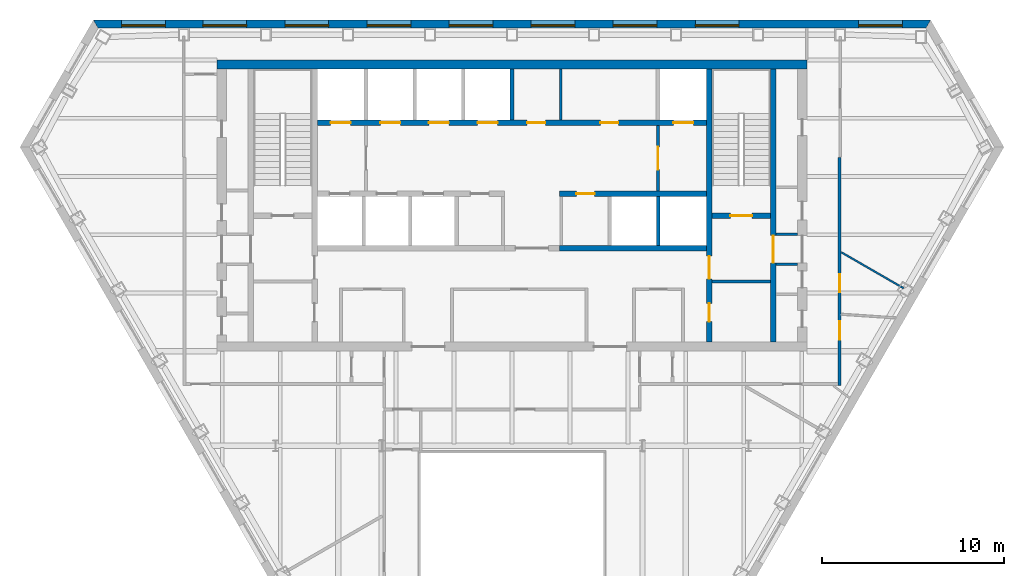
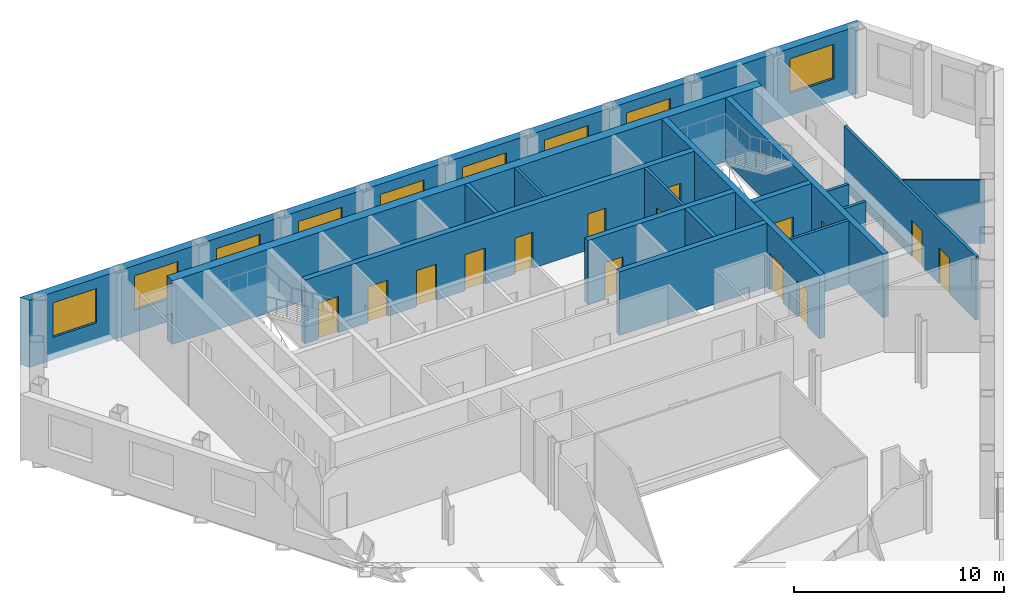
# One storey, part 7 of 11: 17 walls, 15 doors, 9 windows, 24 openings.
"""IFC4 building model written with IfcOpenShell, lengths in metres."""

from ifc_helpers import new_model, si_unit, direction, frame, frame_2d, origin, place, context, subcontext, project, spatial, polyline, rectangle, outline, extrude, material, layer, layer_set, type_object, element, fill, save


model = new_model("IFC4")

# Units and contexts
model_context = context("Model", 3, precision=1e-05, world=origin(), true_north=direction((0.0, 1.0)))
body_context = subcontext(model_context, "Body", "Model", "MODEL_VIEW")
ifc_project = project(units=[si_unit("LENGTHUNIT", "METRE"), si_unit("AREAUNIT", "SQUARE_METRE"), si_unit("VOLUMEUNIT", "CUBIC_METRE"), si_unit("PLANEANGLEUNIT", "RADIAN"), si_unit("MASSUNIT", "GRAM", prefix="KILO")], contexts=[model_context])

# Site, building, storey
site_placement = place(None, origin())
site = spatial("IfcSite", under=ifc_project, at=site_placement, CompositionType="ELEMENT")
building_placement = place(site_placement, origin())
building = spatial("IfcBuilding", under=site, at=building_placement, Name="Njiva Tower", CompositionType="ELEMENT")
storey_placement = place(building_placement, frame((0.0, 0.0, 174.9)))
storey = spatial("IfcBuildingStorey", under=building, at=storey_placement, Name="L38", CompositionType="ELEMENT", Elevation=174.9)

# Walls
ifc_material_1 = material(Name="Blockwork", Category="masonry")
ifc_layer_1 = layer(ifc_material_1, 0.15)
ifc_layer_set_1 = layer_set([ifc_layer_1], Name="Blockwork")
wall_type_1 = type_object("IfcWallType", Name="WT1 Compartment partition 150", PredefinedType="PARTITIONING", material=ifc_layer_set_1)
wall_1_placement = place(storey_placement, frame((2.675, 14.7, 0.0), z_axis=(0.0, 0.0, 1.0), x_axis=(0.0, 1.0, 0.0)))
element("IfcWall", 1, at=wall_1_placement, inside=storey, type_object=wall_type_1, Name="Partition CN5", PredefinedType="PARTITIONING", context=body_context, shape_type="SweptSolid", body=[
    extrude(rectangle(XDim=2.8, YDim=0.15, at=frame_2d((1.4, 0.0))), origin(), (0.0, 0.0, 1.0), 3.7),
])
wall_2_placement = place(storey_placement, frame((11.0, 5.825, 0.0), z_axis=(0.0, 0.0, 1.0), x_axis=(1.0, 0.0, 0.0)))
element("IfcWall", 2, at=wall_2_placement, inside=storey, type_object=wall_type_1, Name="Room wall B", PredefinedType="PARTITIONING", context=body_context, shape_type="SweptSolid", body=[
    extrude(rectangle(XDim=3.2, YDim=0.15, at=frame_2d((1.6, 0.0))), origin(), (0.0, 0.0, 1.0), 3.7),
])

# Wall, openings, doors
ifc_material_2 = material(Name="Concrete C40/50", Category="concrete")
ifc_layer_2 = layer(ifc_material_2, 0.3)
ifc_layer_set_2 = layer_set([ifc_layer_2], Name="Concrete C40/50")
wall_type_2 = type_object("IfcWallType", Name="WT10 Stair enclosure wall 300", PredefinedType="SHEAR", material=ifc_layer_set_2)
wall_3_placement = place(storey_placement, frame((10.85, 2.5, 0.0), z_axis=(0.0, 0.0, 1.0), x_axis=(0.0, 1.0, 0.0)))
wall_3 = element("IfcWall", 3, at=wall_3_placement, inside=storey, type_object=wall_type_2, Name="Stair wall east inner", PredefinedType="SHEAR", context=body_context, shape_type="SweptSolid", body=[
    extrude(rectangle(XDim=15.0, YDim=0.3, at=frame_2d((7.5, 0.0))), origin(), (0.0, 0.0, 1.0), 3.7),
])
opening_1_placement = place(wall_3_placement, frame((3.475, 0.0, 0.0)))
opening_1 = element("IfcOpeningElement", 4, at=opening_1_placement, cuts=wall_3, Name="Opening S13-D919", PredefinedType="OPENING", context=body_context, shape_type="SweptSolid", body=[
    extrude(rectangle(XDim=1.25, YDim=2.1, at=frame_2d((0.625, 1.05))), frame((0.0, 0.16, 0.0), z_axis=(0.0, -1.0, 0.0), x_axis=(1.0, 0.0, 0.0)), (0.0, 0.0, 1.0), 0.32),
])
opening_2_placement = place(wall_3_placement, frame((1.125, 0.0, 0.0)))
opening_2 = element("IfcOpeningElement", 5, at=opening_2_placement, cuts=wall_3, Name="Opening S13-D920", PredefinedType="OPENING", context=body_context, shape_type="SweptSolid", body=[
    extrude(rectangle(XDim=1.0, YDim=2.1, at=frame_2d((0.5, 1.05))), frame((0.0, 0.16, 0.0), z_axis=(0.0, -1.0, 0.0), x_axis=(1.0, 0.0, 0.0)), (0.0, 0.0, 1.0), 0.32),
])
ifc_material_3 = material(Name="Steel door, painted", Category="steel")
door_type_1 = type_object("IfcDoorType", Name="D5 Steel door 1000x2100", OperationType="SINGLE_SWING_LEFT", PredefinedType="DOOR", material=ifc_material_3)
door_1_placement = place(opening_2_placement, origin())
door_1 = element("IfcDoor", 6, at=door_1_placement, inside=storey, type_object=door_type_1, Name="Business centre door", OperationType="SINGLE_SWING_LEFT", OverallHeight=2.1, OverallWidth=1.0, PredefinedType="DOOR", context=body_context, shape_type="SweptSolid", body=[
    extrude(rectangle(XDim=1.0, YDim=2.1, at=frame_2d((0.5, 1.05))), frame((0.0, 0.025, 0.0), z_axis=(0.0, -1.0, 0.0), x_axis=(1.0, 0.0, 0.0)), (0.0, 0.0, 1.0), 0.05),
])
fill(opening_2, door_1)
ifc_material_4 = material(Name="Glazed steel fire door", Category="steel")
door_type_2 = type_object("IfcDoorType", Name="D8 Vestibule corridor door 1250x2100 glazed", OperationType="SINGLE_SWING_LEFT", PredefinedType="DOOR", material=ifc_material_4)
door_2_placement = place(opening_1_placement, origin())
door_2 = element("IfcDoor", 7, at=door_2_placement, inside=storey, type_object=door_type_2, Name="Stair vestibule corridor door", OperationType="SINGLE_SWING_RIGHT", OverallHeight=2.1, OverallWidth=1.25, PredefinedType="DOOR", context=body_context, shape_type="SweptSolid", body=[
    extrude(rectangle(XDim=1.25, YDim=2.1, at=frame_2d((0.625, 1.05))), frame((0.0, 0.025, 0.0), z_axis=(0.0, -1.0, 0.0), x_axis=(1.0, 0.0, 0.0)), (0.0, 0.0, 1.0), 0.05),
])
fill(opening_1, door_2)

# Wall, opening, door
wall_4_placement = place(storey_placement, frame((14.35, 2.5, 0.0), z_axis=(0.0, 0.0, 1.0), x_axis=(0.0, 1.0, 0.0)))
wall_4 = element("IfcWall", 8, at=wall_4_placement, inside=storey, type_object=wall_type_2, Name="Stair wall east outer", PredefinedType="SHEAR", context=body_context, shape_type="SweptSolid", body=[
    extrude(rectangle(XDim=15.0, YDim=0.3, at=frame_2d((7.5, 0.0))), origin(), (0.0, 0.0, 1.0), 3.7),
])
opening_3_placement = place(wall_4_placement, frame((4.35, 0.0, 0.0)))
opening_3 = element("IfcOpeningElement", 9, at=opening_3_placement, cuts=wall_4, Name="Opening S13-D927", PredefinedType="OPENING", context=body_context, shape_type="SweptSolid", body=[
    extrude(rectangle(XDim=1.5, YDim=2.1, at=frame_2d((0.75, 1.05))), frame((0.0, 0.16, 0.0), z_axis=(0.0, -1.0, 0.0), x_axis=(1.0, 0.0, 0.0)), (0.0, 0.0, 1.0), 0.32),
])
door_type_3 = type_object("IfcDoorType", Name="D10 Exit door double 1500x2100 glazed", OperationType="DOUBLE_DOOR_SINGLE_SWING", PredefinedType="DOOR", material=ifc_material_4)
door_3_placement = place(opening_3_placement, origin())
door_3 = element("IfcDoor", 10, at=door_3_placement, inside=storey, type_object=door_type_3, Name="Stair B passage door", OperationType="DOUBLE_DOOR_SINGLE_SWING", OverallHeight=2.1, OverallWidth=1.5, PredefinedType="DOOR", context=body_context, shape_type="SweptSolid", body=[
    extrude(rectangle(XDim=1.5, YDim=2.1, at=frame_2d((0.75, 1.05))), frame((0.0, 0.025, 0.0), z_axis=(0.0, -1.0, 0.0), x_axis=(1.0, 0.0, 0.0)), (0.0, 0.0, 1.0), 0.05),
])
fill(opening_3, door_3)

wall_5_placement = place(storey_placement, frame((11.0, 9.45, 0.0), z_axis=(0.0, 0.0, 1.0), x_axis=(1.0, 0.0, 0.0)))
wall_5 = element("IfcWall", 11, at=wall_5_placement, inside=storey, type_object=wall_type_2, Name="Stair B south wall", PredefinedType="SHEAR", context=body_context, shape_type="SweptSolid", body=[
    extrude(rectangle(XDim=3.2, YDim=0.3, at=frame_2d((1.6, 0.0))), origin(), (0.0, 0.0, 1.0), 3.7),
])
opening_4_placement = place(wall_5_placement, frame((1.0, 0.0, 0.0)))
opening_4 = element("IfcOpeningElement", 12, at=opening_4_placement, cuts=wall_5, Name="Opening S13-D918", PredefinedType="OPENING", context=body_context, shape_type="SweptSolid", body=[
    extrude(rectangle(XDim=1.2, YDim=2.1, at=frame_2d((0.6, 1.05))), frame((0.0, 0.16, 0.0), z_axis=(0.0, -1.0, 0.0), x_axis=(1.0, 0.0, 0.0)), (0.0, 0.0, 1.0), 0.32),
])
door_type_4 = type_object("IfcDoorType", Name="D7 Stair vestibule door 1200x2100 glazed", OperationType="SINGLE_SWING_LEFT", PredefinedType="DOOR", material=ifc_material_4)
door_4_placement = place(opening_4_placement, origin())
door_4 = element("IfcDoor", 13, at=door_4_placement, inside=storey, type_object=door_type_4, Name="Stair B door", OperationType="SINGLE_SWING_LEFT", OverallHeight=2.1, OverallWidth=1.2, PredefinedType="DOOR", context=body_context, shape_type="SweptSolid", body=[
    extrude(rectangle(XDim=1.2, YDim=2.1, at=frame_2d((0.6, 1.05))), frame((0.0, 0.025, 0.0), z_axis=(0.0, -1.0, 0.0), x_axis=(1.0, 0.0, 0.0)), (0.0, 0.0, 1.0), 0.05),
])
fill(opening_4, door_4)

# Wall
ifc_material_5 = material(Name="Concrete C60/75", Category="concrete")
ifc_layer_3 = layer(ifc_material_5, 0.5)
ifc_layer_set_3 = layer_set([ifc_layer_3], Name="Concrete C60/75")
wall_type_3 = type_object("IfcWallType", Name="WT13 Core wall 500", PredefinedType="SHEAR", material=ifc_layer_set_3)
wall_6_placement = place(storey_placement, frame((-16.2, 17.75, 0.0), z_axis=(0.0, 0.0, 1.0), x_axis=(1.0, 0.0, 0.0)))
element("IfcWall", 14, at=wall_6_placement, inside=storey, type_object=wall_type_3, Name="Core wall north", PredefinedType="SHEAR", context=body_context, shape_type="SweptSolid", body=[
    extrude(rectangle(XDim=32.4, YDim=0.5, at=frame_2d((16.2, 0.0))), origin(), (0.0, 0.0, 1.0), 3.7),
])

# Wall, opening, door
ifc_layer_4 = layer(ifc_material_1, 0.15)
ifc_layer_set_4 = layer_set([ifc_layer_4], Name="Blockwork")
wall_type_4 = type_object("IfcWallType", Name="WT2 Lobby partition 150", PredefinedType="PARTITIONING", material=ifc_layer_set_4)
wall_7_placement = place(storey_placement, frame((8.025, 10.8, 0.0), z_axis=(0.0, 0.0, 1.0), x_axis=(0.0, 1.0, 0.0)))
wall_7 = element("IfcWall", 15, at=wall_7_placement, inside=storey, type_object=wall_type_4, Name="Firefighting lobby wall B", PredefinedType="PARTITIONING", context=body_context, shape_type="SweptSolid", body=[
    extrude(rectangle(XDim=3.6, YDim=0.15, at=frame_2d((1.8, 0.0))), origin(), (0.0, 0.0, 1.0), 3.7),
])
opening_5_placement = place(wall_7_placement, frame((1.175, 0.0, 0.0)))
opening_5 = element("IfcOpeningElement", 16, at=opening_5_placement, cuts=wall_7, Name="Opening S13-D917", PredefinedType="OPENING", context=body_context, shape_type="SweptSolid", body=[
    extrude(rectangle(XDim=1.25, YDim=2.1, at=frame_2d((0.625, 1.05))), frame((0.0, 0.085, 0.0), z_axis=(0.0, -1.0, 0.0), x_axis=(1.0, 0.0, 0.0)), (0.0, 0.0, 1.0), 0.17),
])
door_5_placement = place(opening_5_placement, origin())
door_5 = element("IfcDoor", 17, at=door_5_placement, inside=storey, type_object=door_type_2, Name="Stair vestibule corridor door", OperationType="SINGLE_SWING_LEFT", OverallHeight=2.1, OverallWidth=1.25, PredefinedType="DOOR", context=body_context, shape_type="SweptSolid", body=[
    extrude(rectangle(XDim=1.25, YDim=2.1, at=frame_2d((0.625, 1.05))), frame((0.0, 0.025, 0.0), z_axis=(0.0, -1.0, 0.0), x_axis=(1.0, 0.0, 0.0)), (0.0, 0.0, 1.0), 0.05),
])
fill(opening_5, door_5)

# Wall
ifc_material_6 = material(Name="Gypsum board on steel studs", Category="gypsum")
ifc_layer_5 = layer(ifc_material_6, 0.1)
ifc_layer_set_5 = layer_set([ifc_layer_5], Name="Gypsum board on steel studs")
wall_type_5 = type_object("IfcWallType", Name="WT20 Gypsum partition 100", PredefinedType="PARTITIONING", material=ifc_layer_set_5)
wall_8_placement = place(storey_placement, frame((18.1, 7.434, 0.0), z_axis=(0.0, 0.0, 1.0), x_axis=(0.866113839764, -0.499846793097, 0.0)))
element("IfcWall", 18, at=wall_8_placement, inside=storey, type_object=wall_type_5, Name="Partition S13-P030", PredefinedType="PARTITIONING", context=body_context, shape_type="SweptSolid", body=[
    extrude(rectangle(XDim=3.9452, YDim=0.1, at=frame_2d((1.9726, 0.0))), origin(), (0.0, 0.0, 1.0), 3.7),
])

# Wall, openings, doors
ifc_layer_6 = layer(ifc_material_6, 0.15)
ifc_layer_set_6 = layer_set([ifc_layer_6], Name="Gypsum board on steel studs")
wall_type_6 = type_object("IfcWallType", Name="WT21 Compartment wall 150", PredefinedType="PARTITIONING", material=ifc_layer_set_6)
wall_9_placement = place(storey_placement, frame((18.0, 0.125, 0.0), z_axis=(0.0, 0.0, 1.0), x_axis=(0.0, 1.0, 0.0)))
wall_9 = element("IfcWall", 19, at=wall_9_placement, inside=storey, type_object=wall_type_6, Name="Partition S13-P027", PredefinedType="PARTITIONING", context=body_context, shape_type="SweptSolid", body=[
    extrude(rectangle(XDim=12.531, YDim=0.15, at=frame_2d((6.2655, 0.0))), origin(), (0.0, 0.0, 1.0), 3.7),
])
opening_6_placement = place(wall_9_placement, frame((2.51, 0.0, 0.0)))
opening_6 = element("IfcOpeningElement", 20, at=opening_6_placement, cuts=wall_9, Name="Opening S13-D013", PredefinedType="OPENING", context=body_context, shape_type="SweptSolid", body=[
    extrude(rectangle(XDim=1.0, YDim=2.1, at=frame_2d((0.5, 1.05))), frame((0.0, 0.085, 0.0), z_axis=(0.0, -1.0, 0.0), x_axis=(1.0, 0.0, 0.0)), (0.0, 0.0, 1.0), 0.17),
])
opening_7_placement = place(wall_9_placement, frame((5.114, 0.0, 0.0)))
opening_7 = element("IfcOpeningElement", 21, at=opening_7_placement, cuts=wall_9, Name="Opening S13-D014", PredefinedType="OPENING", context=body_context, shape_type="SweptSolid", body=[
    extrude(rectangle(XDim=1.0, YDim=2.1, at=frame_2d((0.5, 1.05))), frame((0.0, 0.085, 0.0), z_axis=(0.0, -1.0, 0.0), x_axis=(1.0, 0.0, 0.0)), (0.0, 0.0, 1.0), 0.17),
])
ifc_material_7 = material(Name="Steel fire door set", Category="steel")
door_type_5 = type_object("IfcDoorType", Name="D37 Fire door 1000x2100", OperationType="SINGLE_SWING_LEFT", PredefinedType="DOOR", material=ifc_material_7)
door_6_placement = place(opening_6_placement, origin())
door_6 = element("IfcDoor", 22, at=door_6_placement, inside=storey, type_object=door_type_5, Name="Door S13-D013", OperationType="SINGLE_SWING_LEFT", OverallHeight=2.1, OverallWidth=1.0, PredefinedType="DOOR", context=body_context, shape_type="SweptSolid", body=[
    extrude(rectangle(XDim=1.0, YDim=2.1, at=frame_2d((0.5, 1.05))), frame((0.0, 0.025, 0.0), z_axis=(0.0, -1.0, 0.0), x_axis=(1.0, 0.0, 0.0)), (0.0, 0.0, 1.0), 0.05),
])
fill(opening_6, door_6)
door_7_placement = place(opening_7_placement, origin())
door_7 = element("IfcDoor", 23, at=door_7_placement, inside=storey, type_object=door_type_5, Name="Door S13-D014", OperationType="SINGLE_SWING_LEFT", OverallHeight=2.1, OverallWidth=1.0, PredefinedType="DOOR", context=body_context, shape_type="SweptSolid", body=[
    extrude(rectangle(XDim=1.0, YDim=2.1, at=frame_2d((0.5, 1.05))), frame((0.0, 0.025, 0.0), z_axis=(0.0, -1.0, 0.0), x_axis=(1.0, 0.0, 0.0)), (0.0, 0.0, 1.0), 0.05),
])
fill(opening_7, door_7)

# Walls
ifc_layer_7 = layer(ifc_material_1, 0.15)
ifc_layer_set_7 = layer_set([ifc_layer_7], Name="Blockwork")
wall_type_7 = type_object("IfcWallType", Name="WT4 Stair partition 150", PredefinedType="PARTITIONING", material=ifc_layer_set_7)
for number, where, z_axis, x_axis, name in (
    (24, (14.5, 6.775, 0.0), (0.0, 0.0, 1.0), (1.0, 0.0, 0.0), "Stair B exit passage wall south"),
    (25, (14.5, 8.425, 0.0), (0.0, 0.0, 1.0), (1.0, 0.0, 0.0), "Stair B exit passage wall north"),
):
    element("IfcWall", number, at=place(storey_placement, frame(where, z_axis=z_axis, x_axis=x_axis)), inside=storey, type_object=wall_type_7, Name=name, PredefinedType="PARTITIONING", context=body_context, shape_type="SweptSolid", body=[
        extrude(rectangle(XDim=1.2, YDim=0.15, at=frame_2d((0.6, 0.0))), origin(), (0.0, 0.0, 1.0), 3.7),
    ])
ifc_layer_8 = layer(ifc_material_2, 0.2)
ifc_layer_set_8 = layer_set([ifc_layer_8], Name="Concrete C40/50")
wall_type_8 = type_object("IfcWallType", Name="WT6 Lift shaft wall 200", PredefinedType="SHEAR", material=ifc_layer_set_8)
wall_10_placement = place(storey_placement, frame((0.0, 14.7, 0.0), z_axis=(0.0, 0.0, 1.0), x_axis=(0.0, 1.0, 0.0)))
element("IfcWall", 26, at=wall_10_placement, inside=storey, type_object=wall_type_8, Name="Shaft wall CN4", PredefinedType="SHEAR", context=body_context, shape_type="SweptSolid", body=[
    extrude(rectangle(XDim=2.8, YDim=0.2, at=frame_2d((1.4, 0.0))), origin(), (0.0, 0.0, 1.0), 3.7),
])
wall_11_placement = place(storey_placement, frame((8.0333, 7.8, 0.0), z_axis=(0.0, 0.0, 1.0), x_axis=(0.0, 1.0, 0.0)))
element("IfcWall", 27, at=wall_11_placement, inside=storey, type_object=wall_type_8, Name="Shaft wall CS7", PredefinedType="SHEAR", context=body_context, shape_type="SweptSolid", body=[
    extrude(rectangle(XDim=2.7, YDim=0.2, at=frame_2d((1.35, 0.0))), origin(), (0.0, 0.0, 1.0), 3.7),
])

# Wall, openings, doors
ifc_layer_9 = layer(ifc_material_2, 0.3)
ifc_layer_set_9 = layer_set([ifc_layer_9], Name="Concrete C40/50")
wall_type_9 = type_object("IfcWallType", Name="WT7 Lift shaft wall 300", PredefinedType="SHEAR", material=ifc_layer_set_9)
wall_12_placement = place(storey_placement, frame((-10.7, 14.55, 0.0), z_axis=(0.0, 0.0, 1.0), x_axis=(1.0, 0.0, 0.0)))
wall_12 = element("IfcWall", 28, at=wall_12_placement, inside=storey, type_object=wall_type_9, Name="Shaft wall north row lobby side", PredefinedType="SHEAR", context=body_context, shape_type="SweptSolid", body=[
    extrude(rectangle(XDim=21.4, YDim=0.3, at=frame_2d((10.7, 0.0))), origin(), (0.0, 0.0, 1.0), 3.7),
])
opening_8_placement = place(wall_12_placement, frame((0.7375, 0.0, 0.0)))
opening_8 = element("IfcOpeningElement", 29, at=opening_8_placement, cuts=wall_12, Name="Opening S13-D901", PredefinedType="OPENING", context=body_context, shape_type="SweptSolid", body=[
    extrude(rectangle(XDim=1.1, YDim=2.1, at=frame_2d((0.55, 1.05))), frame((0.0, 0.16, 0.0), z_axis=(0.0, -1.0, 0.0), x_axis=(1.0, 0.0, 0.0)), (0.0, 0.0, 1.0), 0.32),
])
opening_9_placement = place(wall_12_placement, frame((3.4625, 0.0, 0.0)))
opening_9 = element("IfcOpeningElement", 30, at=opening_9_placement, cuts=wall_12, Name="Opening S13-D902", PredefinedType="OPENING", context=body_context, shape_type="SweptSolid", body=[
    extrude(rectangle(XDim=1.1, YDim=2.1, at=frame_2d((0.55, 1.05))), frame((0.0, 0.16, 0.0), z_axis=(0.0, -1.0, 0.0), x_axis=(1.0, 0.0, 0.0)), (0.0, 0.0, 1.0), 0.32),
])
opening_10_placement = place(wall_12_placement, frame((6.1375, 0.0, 0.0)))
opening_10 = element("IfcOpeningElement", 31, at=opening_10_placement, cuts=wall_12, Name="Opening S13-D903", PredefinedType="OPENING", context=body_context, shape_type="SweptSolid", body=[
    extrude(rectangle(XDim=1.1, YDim=2.1, at=frame_2d((0.55, 1.05))), frame((0.0, 0.16, 0.0), z_axis=(0.0, -1.0, 0.0), x_axis=(1.0, 0.0, 0.0)), (0.0, 0.0, 1.0), 0.32),
])
opening_11_placement = place(wall_12_placement, frame((8.8125, 0.0, 0.0)))
opening_11 = element("IfcOpeningElement", 32, at=opening_11_placement, cuts=wall_12, Name="Opening S13-D904", PredefinedType="OPENING", context=body_context, shape_type="SweptSolid", body=[
    extrude(rectangle(XDim=1.1, YDim=2.1, at=frame_2d((0.55, 1.05))), frame((0.0, 0.16, 0.0), z_axis=(0.0, -1.0, 0.0), x_axis=(1.0, 0.0, 0.0)), (0.0, 0.0, 1.0), 0.32),
])
opening_12_placement = place(wall_12_placement, frame((19.5625, 0.0, 0.0)))
opening_12 = element("IfcOpeningElement", 33, at=opening_12_placement, cuts=wall_12, Name="Opening S13-D905", PredefinedType="OPENING", context=body_context, shape_type="SweptSolid", body=[
    extrude(rectangle(XDim=1.1, YDim=2.1, at=frame_2d((0.55, 1.05))), frame((0.0, 0.16, 0.0), z_axis=(0.0, -1.0, 0.0), x_axis=(1.0, 0.0, 0.0)), (0.0, 0.0, 1.0), 0.32),
])
opening_13_placement = place(wall_12_placement, frame((11.5375, 0.0, 0.0)))
opening_13 = element("IfcOpeningElement", 34, at=opening_13_placement, cuts=wall_12, Name="Opening S13-D909", PredefinedType="OPENING", context=body_context, shape_type="SweptSolid", body=[
    extrude(rectangle(XDim=1.0, YDim=2.1, at=frame_2d((0.5, 1.05))), frame((0.0, 0.16, 0.0), z_axis=(0.0, -1.0, 0.0), x_axis=(1.0, 0.0, 0.0)), (0.0, 0.0, 1.0), 0.32),
])
opening_14_placement = place(wall_12_placement, frame((15.55, 0.0, 0.0)))
opening_14 = element("IfcOpeningElement", 35, at=opening_14_placement, cuts=wall_12, Name="Opening S13-D910", PredefinedType="OPENING", context=body_context, shape_type="SweptSolid", body=[
    extrude(rectangle(XDim=1.0, YDim=2.1, at=frame_2d((0.5, 1.05))), frame((0.0, 0.16, 0.0), z_axis=(0.0, -1.0, 0.0), x_axis=(1.0, 0.0, 0.0)), (0.0, 0.0, 1.0), 0.32),
])
door_8_placement = place(opening_13_placement, origin())
door_8 = element("IfcDoor", 36, at=door_8_placement, inside=storey, type_object=door_type_1, Name="Quiet room door", OperationType="SINGLE_SWING_LEFT", OverallHeight=2.1, OverallWidth=1.0, PredefinedType="DOOR", context=body_context, shape_type="SweptSolid", body=[
    extrude(rectangle(XDim=1.0, YDim=2.1, at=frame_2d((0.5, 1.05))), frame((0.0, 0.025, 0.0), z_axis=(0.0, -1.0, 0.0), x_axis=(1.0, 0.0, 0.0)), (0.0, 0.0, 1.0), 0.05),
])
fill(opening_13, door_8)
door_9_placement = place(opening_14_placement, origin())
door_9 = element("IfcDoor", 37, at=door_9_placement, inside=storey, type_object=door_type_1, Name="Prayer room door", OperationType="SINGLE_SWING_LEFT", OverallHeight=2.1, OverallWidth=1.0, PredefinedType="DOOR", context=body_context, shape_type="SweptSolid", body=[
    extrude(rectangle(XDim=1.0, YDim=2.1, at=frame_2d((0.5, 1.05))), frame((0.0, 0.025, 0.0), z_axis=(0.0, -1.0, 0.0), x_axis=(1.0, 0.0, 0.0)), (0.0, 0.0, 1.0), 0.05),
])
fill(opening_14, door_9)
ifc_material_8 = material(Name="Stainless steel sliding door", Category="steel")
door_type_6 = type_object("IfcDoorType", Name="LD Lift landing door 1100x2100", OperationType="SLIDING_TO_LEFT", PredefinedType="DOOR", material=ifc_material_8)
door_10_placement = place(opening_8_placement, origin())
door_10 = element("IfcDoor", 38, at=door_10_placement, inside=storey, type_object=door_type_6, Name="Lift landing door FF1", OperationType="SLIDING_TO_LEFT", OverallHeight=2.1, OverallWidth=1.1, PredefinedType="DOOR", context=body_context, shape_type="SweptSolid", body=[
    extrude(rectangle(XDim=1.1, YDim=2.1, at=frame_2d((0.55, 1.05))), frame((0.0, 0.025, 0.0), z_axis=(0.0, -1.0, 0.0), x_axis=(1.0, 0.0, 0.0)), (0.0, 0.0, 1.0), 0.05),
])
fill(opening_8, door_10)
door_11_placement = place(opening_9_placement, origin())
door_11 = element("IfcDoor", 39, at=door_11_placement, inside=storey, type_object=door_type_6, Name="Lift landing door MB4", OperationType="SLIDING_TO_LEFT", OverallHeight=2.1, OverallWidth=1.1, PredefinedType="DOOR", context=body_context, shape_type="SweptSolid", body=[
    extrude(rectangle(XDim=1.1, YDim=2.1, at=frame_2d((0.55, 1.05))), frame((0.0, 0.025, 0.0), z_axis=(0.0, -1.0, 0.0), x_axis=(1.0, 0.0, 0.0)), (0.0, 0.0, 1.0), 0.05),
])
fill(opening_9, door_11)
door_12_placement = place(opening_10_placement, origin())
door_12 = element("IfcDoor", 40, at=door_12_placement, inside=storey, type_object=door_type_6, Name="Lift landing door MB5", OperationType="SLIDING_TO_LEFT", OverallHeight=2.1, OverallWidth=1.1, PredefinedType="DOOR", context=body_context, shape_type="SweptSolid", body=[
    extrude(rectangle(XDim=1.1, YDim=2.1, at=frame_2d((0.55, 1.05))), frame((0.0, 0.025, 0.0), z_axis=(0.0, -1.0, 0.0), x_axis=(1.0, 0.0, 0.0)), (0.0, 0.0, 1.0), 0.05),
])
fill(opening_10, door_12)
door_13_placement = place(opening_11_placement, origin())
door_13 = element("IfcDoor", 41, at=door_13_placement, inside=storey, type_object=door_type_6, Name="Lift landing door MB6", OperationType="SLIDING_TO_LEFT", OverallHeight=2.1, OverallWidth=1.1, PredefinedType="DOOR", context=body_context, shape_type="SweptSolid", body=[
    extrude(rectangle(XDim=1.1, YDim=2.1, at=frame_2d((0.55, 1.05))), frame((0.0, 0.025, 0.0), z_axis=(0.0, -1.0, 0.0), x_axis=(1.0, 0.0, 0.0)), (0.0, 0.0, 1.0), 0.05),
])
fill(opening_11, door_13)
door_14_placement = place(opening_12_placement, origin())
door_14 = element("IfcDoor", 42, at=door_14_placement, inside=storey, type_object=door_type_6, Name="Lift landing door FF2", OperationType="SLIDING_TO_LEFT", OverallHeight=2.1, OverallWidth=1.1, PredefinedType="DOOR", context=body_context, shape_type="SweptSolid", body=[
    extrude(rectangle(XDim=1.1, YDim=2.1, at=frame_2d((0.55, 1.05))), frame((0.0, 0.025, 0.0), z_axis=(0.0, -1.0, 0.0), x_axis=(1.0, 0.0, 0.0)), (0.0, 0.0, 1.0), 0.05),
])
fill(opening_12, door_14)

# Wall, opening, door
wall_13_placement = place(storey_placement, frame((2.6, 10.65, 0.0), z_axis=(0.0, 0.0, 1.0), x_axis=(1.0, 0.0, 0.0)))
wall_13 = element("IfcWall", 43, at=wall_13_placement, inside=storey, type_object=wall_type_9, Name="Shaft wall south row lobby side E", PredefinedType="SHEAR", context=body_context, shape_type="SweptSolid", body=[
    extrude(rectangle(XDim=8.1, YDim=0.3, at=frame_2d((4.05, 0.0))), origin(), (0.0, 0.0, 1.0), 3.7),
])
opening_15_placement = place(wall_13_placement, frame((0.9334, 0.0, 0.0)))
opening_15 = element("IfcOpeningElement", 44, at=opening_15_placement, cuts=wall_13, Name="Opening S13-D912", PredefinedType="OPENING", context=body_context, shape_type="SweptSolid", body=[
    extrude(rectangle(XDim=1.0, YDim=2.1, at=frame_2d((0.5, 1.05))), frame((0.0, 0.16, 0.0), z_axis=(0.0, -1.0, 0.0), x_axis=(1.0, 0.0, 0.0)), (0.0, 0.0, 1.0), 0.32),
])
door_15_placement = place(opening_15_placement, origin())
door_15 = element("IfcDoor", 45, at=door_15_placement, inside=storey, type_object=door_type_1, Name="Meeting room door", OperationType="SINGLE_SWING_LEFT", OverallHeight=2.1, OverallWidth=1.0, PredefinedType="DOOR", context=body_context, shape_type="SweptSolid", body=[
    extrude(rectangle(XDim=1.0, YDim=2.1, at=frame_2d((0.5, 1.05))), frame((0.0, 0.025, 0.0), z_axis=(0.0, -1.0, 0.0), x_axis=(1.0, 0.0, 0.0)), (0.0, 0.0, 1.0), 0.05),
])
fill(opening_15, door_15)

# Wall
wall_14_placement = place(storey_placement, frame((2.6, 7.65, 0.0), z_axis=(0.0, 0.0, 1.0), x_axis=(1.0, 0.0, 0.0)))
element("IfcWall", 46, at=wall_14_placement, inside=storey, type_object=wall_type_9, Name="Shaft wall south row back E", PredefinedType="SHEAR", context=body_context, shape_type="SweptSolid", body=[
    extrude(rectangle(XDim=8.1, YDim=0.3, at=frame_2d((4.05, 0.0))), origin(), (0.0, 0.0, 1.0), 3.7),
])

# Wall, openings, windows
ifc_material_9 = material(Name="Brick masonry", Category="masonry")
ifc_layer_10 = layer(ifc_material_9, 0.45)
ifc_layer_set_10 = layer_set([ifc_layer_10], Name="Brick masonry")
wall_type_10 = type_object("IfcWallType", Name="WT90 Brick pier and spandrel wall 450", PredefinedType="SOLIDWALL", material=ifc_layer_set_10)
wall_15_placement = place(storey_placement, frame((22.8751, 19.975, -0.4), z_axis=(0.0, 0.0, 1.0), x_axis=(-1.0, 0.0, 0.0)))
wall_15 = element("IfcWall", 47, at=wall_15_placement, inside=storey, type_object=wall_type_10, Name="Facade wall N", PredefinedType="SOLIDWALL", context=body_context, shape_type="SweptSolid", body=[
    extrude(outline(polyline([(-0.1299, -0.225), (45.8801, -0.225), (45.6203, 0.225), (0.1299, 0.225), (-0.1299, -0.225)])), origin(), (0.0, 0.0, 1.0), 3.9),
])
opening_16_placement = place(wall_15_placement, frame((1.4247, 0.0, 1.3)))
opening_16 = element("IfcOpeningElement", 48, at=opening_16_placement, cuts=wall_15, Name="Opening S13-W01", PredefinedType="OPENING", context=body_context, shape_type="SweptSolid", body=[
    extrude(rectangle(XDim=2.4, YDim=2.0, at=frame_2d((1.2, 1.0))), frame((0.0, 0.235, 0.0), z_axis=(0.0, -1.0, 0.0), x_axis=(1.0, 0.0, 0.0)), (0.0, 0.0, 1.0), 0.47),
])
opening_17_placement = place(wall_15_placement, frame((10.4035, 0.0, 1.3)))
opening_17 = element("IfcOpeningElement", 49, at=opening_17_placement, cuts=wall_15, Name="Opening S13-W02", PredefinedType="OPENING", context=body_context, shape_type="SweptSolid", body=[
    extrude(rectangle(XDim=2.4, YDim=2.0, at=frame_2d((1.2, 1.0))), frame((0.0, 0.235, 0.0), z_axis=(0.0, -1.0, 0.0), x_axis=(1.0, 0.0, 0.0)), (0.0, 0.0, 1.0), 0.47),
])
opening_18_placement = place(wall_15_placement, frame((14.9122, 0.0, 1.3)))
opening_18 = element("IfcOpeningElement", 50, at=opening_18_placement, cuts=wall_15, Name="Opening S13-W03", PredefinedType="OPENING", context=body_context, shape_type="SweptSolid", body=[
    extrude(rectangle(XDim=2.4, YDim=2.0, at=frame_2d((1.2, 1.0))), frame((0.0, 0.235, 0.0), z_axis=(0.0, -1.0, 0.0), x_axis=(1.0, 0.0, 0.0)), (0.0, 0.0, 1.0), 0.47),
])
opening_19_placement = place(wall_15_placement, frame((19.4208, 0.0, 1.3)))
opening_19 = element("IfcOpeningElement", 51, at=opening_19_placement, cuts=wall_15, Name="Opening S13-W04", PredefinedType="OPENING", context=body_context, shape_type="SweptSolid", body=[
    extrude(rectangle(XDim=2.4, YDim=2.0, at=frame_2d((1.2, 1.0))), frame((0.0, 0.235, 0.0), z_axis=(0.0, -1.0, 0.0), x_axis=(1.0, 0.0, 0.0)), (0.0, 0.0, 1.0), 0.47),
])
opening_20_placement = place(wall_15_placement, frame((23.9294, 0.0, 1.3)))
opening_20 = element("IfcOpeningElement", 52, at=opening_20_placement, cuts=wall_15, Name="Opening S13-W05", PredefinedType="OPENING", context=body_context, shape_type="SweptSolid", body=[
    extrude(rectangle(XDim=2.4, YDim=2.0, at=frame_2d((1.2, 1.0))), frame((0.0, 0.235, 0.0), z_axis=(0.0, -1.0, 0.0), x_axis=(1.0, 0.0, 0.0)), (0.0, 0.0, 1.0), 0.47),
])
opening_21_placement = place(wall_15_placement, frame((28.438, 0.0, 1.3)))
opening_21 = element("IfcOpeningElement", 53, at=opening_21_placement, cuts=wall_15, Name="Opening S13-W06", PredefinedType="OPENING", context=body_context, shape_type="SweptSolid", body=[
    extrude(rectangle(XDim=2.4, YDim=2.0, at=frame_2d((1.2, 1.0))), frame((0.0, 0.235, 0.0), z_axis=(0.0, -1.0, 0.0), x_axis=(1.0, 0.0, 0.0)), (0.0, 0.0, 1.0), 0.47),
])
opening_22_placement = place(wall_15_placement, frame((32.9466, 0.0, 1.3)))
opening_22 = element("IfcOpeningElement", 54, at=opening_22_placement, cuts=wall_15, Name="Opening S13-W07", PredefinedType="OPENING", context=body_context, shape_type="SweptSolid", body=[
    extrude(rectangle(XDim=2.4, YDim=2.0, at=frame_2d((1.2, 1.0))), frame((0.0, 0.235, 0.0), z_axis=(0.0, -1.0, 0.0), x_axis=(1.0, 0.0, 0.0)), (0.0, 0.0, 1.0), 0.47),
])
opening_23_placement = place(wall_15_placement, frame((37.4553, 0.0, 1.3)))
opening_23 = element("IfcOpeningElement", 55, at=opening_23_placement, cuts=wall_15, Name="Opening S13-W08", PredefinedType="OPENING", context=body_context, shape_type="SweptSolid", body=[
    extrude(rectangle(XDim=2.4, YDim=2.0, at=frame_2d((1.2, 1.0))), frame((0.0, 0.235, 0.0), z_axis=(0.0, -1.0, 0.0), x_axis=(1.0, 0.0, 0.0)), (0.0, 0.0, 1.0), 0.47),
])
opening_24_placement = place(wall_15_placement, frame((41.9255, 0.0, 1.3)))
opening_24 = element("IfcOpeningElement", 56, at=opening_24_placement, cuts=wall_15, Name="Opening S13-W09", PredefinedType="OPENING", context=body_context, shape_type="SweptSolid", body=[
    extrude(rectangle(XDim=2.4, YDim=2.0, at=frame_2d((1.2, 1.0))), frame((0.0, 0.235, 0.0), z_axis=(0.0, -1.0, 0.0), x_axis=(1.0, 0.0, 0.0)), (0.0, 0.0, 1.0), 0.47),
])
ifc_material_10 = material(Name="Clear glazing in aluminium frame", Category="aluminium")
window_type = type_object("IfcWindowType", Name="W90 Deep-set window 2400x2000", PartitioningType="SINGLE_PANEL", PredefinedType="WINDOW", material=ifc_material_10)
window_1_placement = place(opening_16_placement, origin())
window_1 = element("IfcWindow", 57, at=window_1_placement, inside=storey, type_object=window_type, Name="Window", OverallHeight=2.0, OverallWidth=2.4, PartitioningType="SINGLE_PANEL", PredefinedType="WINDOW", context=body_context, shape_type="SweptSolid", body=[
    extrude(rectangle(XDim=2.4, YDim=2.0, at=frame_2d((1.2, 1.0))), frame((0.0, 0.105, 0.0), z_axis=(0.0, -1.0, 0.0), x_axis=(1.0, 0.0, 0.0)), (0.0, 0.0, 1.0), 0.06),
])
fill(opening_16, window_1)
window_2_placement = place(opening_17_placement, origin())
window_2 = element("IfcWindow", 58, at=window_2_placement, inside=storey, type_object=window_type, Name="Window", OverallHeight=2.0, OverallWidth=2.4, PartitioningType="SINGLE_PANEL", PredefinedType="WINDOW", context=body_context, shape_type="SweptSolid", body=[
    extrude(rectangle(XDim=2.4, YDim=2.0, at=frame_2d((1.2, 1.0))), frame((0.0, 0.105, 0.0), z_axis=(0.0, -1.0, 0.0), x_axis=(1.0, 0.0, 0.0)), (0.0, 0.0, 1.0), 0.06),
])
fill(opening_17, window_2)
window_3_placement = place(opening_18_placement, origin())
window_3 = element("IfcWindow", 59, at=window_3_placement, inside=storey, type_object=window_type, Name="Window", OverallHeight=2.0, OverallWidth=2.4, PartitioningType="SINGLE_PANEL", PredefinedType="WINDOW", context=body_context, shape_type="SweptSolid", body=[
    extrude(rectangle(XDim=2.4, YDim=2.0, at=frame_2d((1.2, 1.0))), frame((0.0, 0.105, 0.0), z_axis=(0.0, -1.0, 0.0), x_axis=(1.0, 0.0, 0.0)), (0.0, 0.0, 1.0), 0.06),
])
fill(opening_18, window_3)
window_4_placement = place(opening_19_placement, origin())
window_4 = element("IfcWindow", 60, at=window_4_placement, inside=storey, type_object=window_type, Name="Window", OverallHeight=2.0, OverallWidth=2.4, PartitioningType="SINGLE_PANEL", PredefinedType="WINDOW", context=body_context, shape_type="SweptSolid", body=[
    extrude(rectangle(XDim=2.4, YDim=2.0, at=frame_2d((1.2, 1.0))), frame((0.0, 0.105, 0.0), z_axis=(0.0, -1.0, 0.0), x_axis=(1.0, 0.0, 0.0)), (0.0, 0.0, 1.0), 0.06),
])
fill(opening_19, window_4)
window_5_placement = place(opening_20_placement, origin())
window_5 = element("IfcWindow", 61, at=window_5_placement, inside=storey, type_object=window_type, Name="Window", OverallHeight=2.0, OverallWidth=2.4, PartitioningType="SINGLE_PANEL", PredefinedType="WINDOW", context=body_context, shape_type="SweptSolid", body=[
    extrude(rectangle(XDim=2.4, YDim=2.0, at=frame_2d((1.2, 1.0))), frame((0.0, 0.105, 0.0), z_axis=(0.0, -1.0, 0.0), x_axis=(1.0, 0.0, 0.0)), (0.0, 0.0, 1.0), 0.06),
])
fill(opening_20, window_5)
window_6_placement = place(opening_21_placement, origin())
window_6 = element("IfcWindow", 62, at=window_6_placement, inside=storey, type_object=window_type, Name="Window", OverallHeight=2.0, OverallWidth=2.4, PartitioningType="SINGLE_PANEL", PredefinedType="WINDOW", context=body_context, shape_type="SweptSolid", body=[
    extrude(rectangle(XDim=2.4, YDim=2.0, at=frame_2d((1.2, 1.0))), frame((0.0, 0.105, 0.0), z_axis=(0.0, -1.0, 0.0), x_axis=(1.0, 0.0, 0.0)), (0.0, 0.0, 1.0), 0.06),
])
fill(opening_21, window_6)
window_7_placement = place(opening_22_placement, origin())
window_7 = element("IfcWindow", 63, at=window_7_placement, inside=storey, type_object=window_type, Name="Window", OverallHeight=2.0, OverallWidth=2.4, PartitioningType="SINGLE_PANEL", PredefinedType="WINDOW", context=body_context, shape_type="SweptSolid", body=[
    extrude(rectangle(XDim=2.4, YDim=2.0, at=frame_2d((1.2, 1.0))), frame((0.0, 0.105, 0.0), z_axis=(0.0, -1.0, 0.0), x_axis=(1.0, 0.0, 0.0)), (0.0, 0.0, 1.0), 0.06),
])
fill(opening_22, window_7)
window_8_placement = place(opening_23_placement, origin())
window_8 = element("IfcWindow", 64, at=window_8_placement, inside=storey, type_object=window_type, Name="Window", OverallHeight=2.0, OverallWidth=2.4, PartitioningType="SINGLE_PANEL", PredefinedType="WINDOW", context=body_context, shape_type="SweptSolid", body=[
    extrude(rectangle(XDim=2.4, YDim=2.0, at=frame_2d((1.2, 1.0))), frame((0.0, 0.105, 0.0), z_axis=(0.0, -1.0, 0.0), x_axis=(1.0, 0.0, 0.0)), (0.0, 0.0, 1.0), 0.06),
])
fill(opening_23, window_8)
window_9_placement = place(opening_24_placement, origin())
window_9 = element("IfcWindow", 65, at=window_9_placement, inside=storey, type_object=window_type, Name="Window", OverallHeight=2.0, OverallWidth=2.4, PartitioningType="SINGLE_PANEL", PredefinedType="WINDOW", context=body_context, shape_type="SweptSolid", body=[
    extrude(rectangle(XDim=2.4, YDim=2.0, at=frame_2d((1.2, 1.0))), frame((0.0, 0.105, 0.0), z_axis=(0.0, -1.0, 0.0), x_axis=(1.0, 0.0, 0.0)), (0.0, 0.0, 1.0), 0.06),
])
fill(opening_24, window_9)

save(model, "model.ifc")
